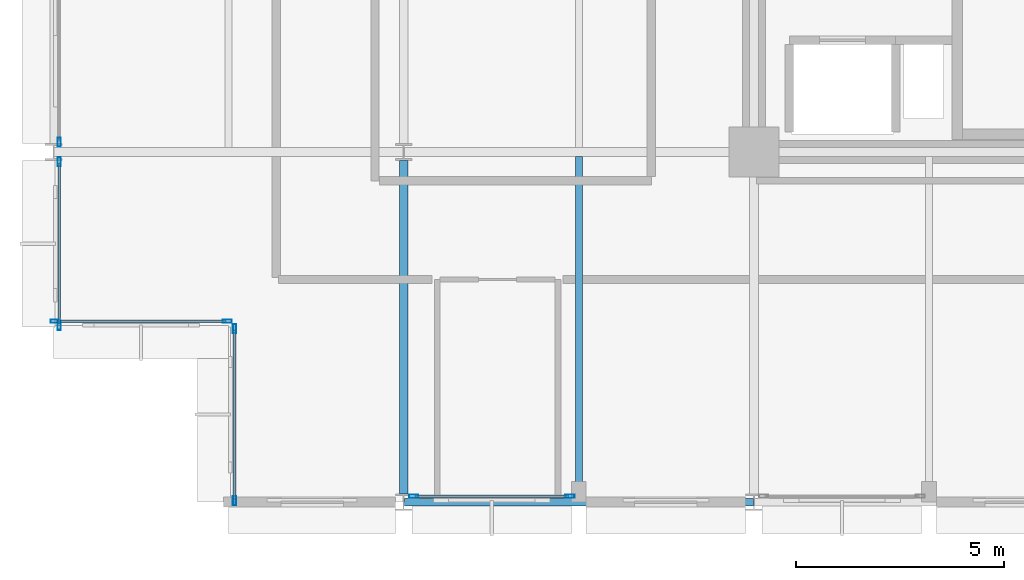
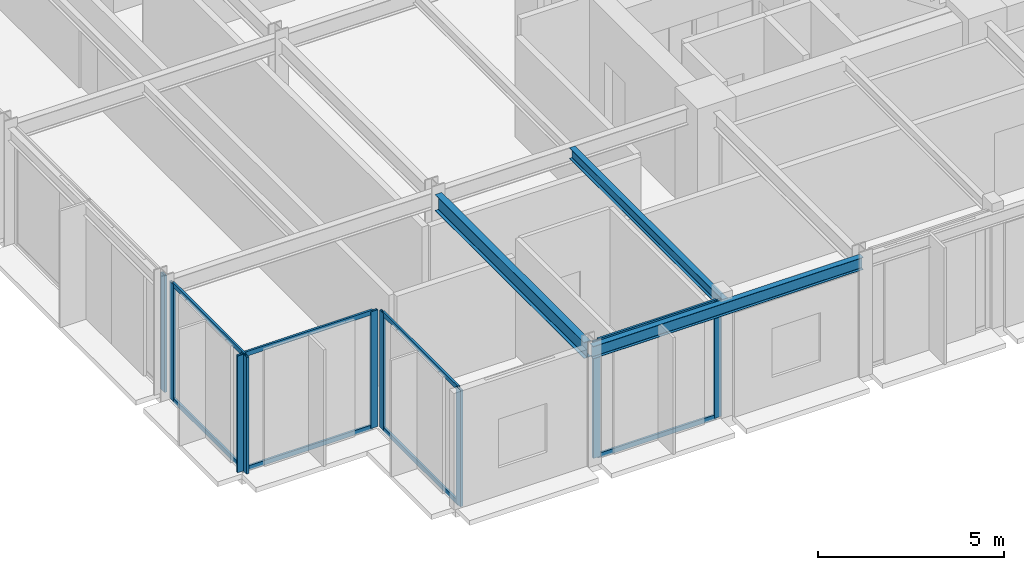
# One storey, part 2 of 25: 17 members, 3 beams, 5 elements without a shape of their own.
"""IFC4 building model written with IfcOpenShell, lengths in metres."""

from ifc_helpers import new_model, si_unit, direction, frame, origin, origin_2d, place, context, subcontext, project, spatial, hollow_rectangle, i_section, extrude, material, layer, layer_set, material_profile, profile_set, type_object, element, aggregate, save


model = new_model("IFC4")

# Units and contexts
model_context = context("Model", 3, precision=1e-05, world=origin(), true_north=direction((0.0, 1.0)))
body_context = subcontext(model_context, "Body", "Model", "MODEL_VIEW")
ifc_project = project(units=[si_unit("LENGTHUNIT", "METRE"), si_unit("AREAUNIT", "SQUARE_METRE"), si_unit("VOLUMEUNIT", "CUBIC_METRE"), si_unit("PLANEANGLEUNIT", "RADIAN"), si_unit("MASSUNIT", "GRAM", prefix="KILO")], contexts=[model_context])

# Site, building, storey
site_placement = place(None, origin())
site = spatial("IfcSite", under=ifc_project, at=site_placement, CompositionType="ELEMENT")
building_placement = place(site_placement, origin())
building = spatial("IfcBuilding", under=site, at=building_placement, Name="Nerrivon Quay Data Exchange", CompositionType="ELEMENT")
storey_placement = place(building_placement, frame((0.0, 0.0, 113.10009765625)))
storey = spatial("IfcBuildingStorey", under=building, at=storey_placement, Name="L26", CompositionType="ELEMENT", Elevation=113.10009765625)

# Beams
ifc_material_1 = material(Name="Steel Grade 350", Category="steel")
ifc_material_profile_1 = material_profile(ifc_material_1, i_section(OverallWidth=0.208984375, OverallDepth=0.528076171875, WebThickness=0.009521484375, FlangeThickness=0.01318359375, FilletRadius=0.013916015625, at=origin_2d()), Name="530UB82.0")
ifc_profile_set_1 = profile_set([ifc_material_profile_1], Name="Steel Grade 350")
beam_type_1 = type_object("IfcBeamType", Name="BM-G4-530UB82", PredefinedType="BEAM", material=ifc_profile_set_1)
beam_1_placement = place(storey_placement, frame((8.39990234375, 0.199951171875, 3.560791015625), z_axis=(0.0, 1.0, 0.0), x_axis=(-1.0, 0.0, 0.0)))
element("IfcBeam", 1, at=beam_1_placement, inside=storey, type_object=beam_type_1, Name="L26 NS Girder X=8.4 (0.0..8.4)", PredefinedType="BEAM", context=body_context, shape_type="SweptSolid", body=[
    extrude(i_section(OverallWidth=0.208984375, OverallDepth=0.528076171875, WebThickness=0.009521484375, FlangeThickness=0.01318359375, FilletRadius=0.013916015625, at=origin_2d()), origin(), (0.0, 0.0, 1.0), 8.0),
])
ifc_material_profile_2 = material_profile(ifc_material_1, i_section(OverallWidth=0.1708984375, OverallDepth=0.35595703125, WebThickness=0.00732421875, FlangeThickness=0.011474609375, FilletRadius=0.011474609375, at=origin_2d()), Name="360UB50.7")
ifc_profile_set_2 = profile_set([ifc_material_profile_2], Name="Steel Grade 350")
beam_type_2 = type_object("IfcBeamType", Name="BM-J4-360UB51", PredefinedType="JOIST", material=ifc_profile_set_2)
beam_2_placement = place(storey_placement, frame((12.60009765625, 0.089111328125, 3.64697265625), z_axis=(0.0, 1.0, 0.0), x_axis=(-1.0, 0.0, 0.0)))
element("IfcBeam", 2, at=beam_2_placement, inside=storey, type_object=beam_type_2, Name="L26 Secondary Joist X=12.6 (0.0..8.4)", PredefinedType="JOIST", context=body_context, shape_type="SweptSolid", body=[
    extrude(i_section(OverallWidth=0.1708984375, OverallDepth=0.35595703125, WebThickness=0.00732421875, FlangeThickness=0.011474609375, FilletRadius=0.011474609375, at=origin_2d()), origin(), (0.0, 0.0, 1.0), 8.206298828125),
])
ifc_material_profile_3 = material_profile(ifc_material_1, i_section(OverallWidth=0.177978515625, OverallDepth=0.403076171875, WebThickness=0.007568359375, FlangeThickness=0.010986328125, FilletRadius=0.011474609375, at=origin_2d()), Name="410UB53.7")
ifc_profile_set_3 = profile_set([ifc_material_profile_3], Name="Steel Grade 350")
beam_type_3 = type_object("IfcBeamType", Name="BM-SP2-410UB54", PredefinedType="SPANDREL", material=ifc_profile_set_3)
beam_3_placement = place(storey_placement, frame((8.41259765625, 0.0, 3.623291015625), z_axis=(1.0, 0.0, 0.0), x_axis=(0.0, 1.0, 0.0)))
element("IfcBeam", 3, at=beam_3_placement, inside=storey, type_object=beam_type_3, Name="L26 EW Girder Y=0.0 (8.4..16.8)", PredefinedType="SPANDREL", context=body_context, shape_type="SweptSolid", body=[
    extrude(i_section(OverallWidth=0.177978515625, OverallDepth=0.403076171875, WebThickness=0.007568359375, FlangeThickness=0.010986328125, FilletRadius=0.011474609375, at=origin_2d()), origin(), (0.0, 0.0, 1.0), 8.375),
])

# Curtain wall, members
ifc_material_2 = material(Name="Anodised aluminium 6063-T6", Category="aluminium")
ifc_layer = layer(ifc_material_2, 0.22998046875)
ifc_layer_set = layer_set([ifc_layer], Name="Anodised aluminium 6063-T6")
curtain_wall_type = type_object("IfcCurtainWallType", Name="CW-SYS-05", PredefinedType="NOTDEFINED", material=ifc_layer_set)
curtain_wall_1_placement = place(storey_placement, origin())
curtain_wall_1 = element("IfcCurtainWall", 4, at=curtain_wall_1_placement, inside=storey, type_object=curtain_wall_type, Name="L26 Unitised Curtain Wall 8", PredefinedType="NOTDEFINED")
ifc_material_profile_4 = material_profile(ifc_material_2, hollow_rectangle(XDim=0.074951171875, YDim=0.219970703125, WallThickness=0.00390625, at=origin_2d()), Name="ALU-MULL-220x75")
ifc_profile_set_4 = profile_set([ifc_material_profile_4], Name="Anodised aluminium 6063-T6")
member_type_1 = type_object("IfcMemberType", Name="CWM-220x75", PredefinedType="MULLION", material=ifc_profile_set_4)
member_1_placement = place(storey_placement, frame((12.387451171875, 0.139892578125, 0.0), z_axis=(0.0, 0.0, 1.0), x_axis=(0.0, -1.0, 0.0)))
member_1 = element("IfcMember", 5, at=member_1_placement, type_object=member_type_1, Name="CW05 mullion 1", PredefinedType="MULLION", context=body_context, shape_type="SweptSolid", body=[
    extrude(hollow_rectangle(XDim=0.074951171875, YDim=0.219970703125, WallThickness=0.00390625, at=origin_2d()), origin(), (0.0, 0.0, 1.0), 3.824951171875),
])
member_2_placement = place(storey_placement, frame((8.637451171875, 0.139892578125, 0.0), z_axis=(0.0, 0.0, 1.0), x_axis=(0.0, -1.0, 0.0)))
member_2 = element("IfcMember", 6, at=member_2_placement, type_object=member_type_1, Name="CW05 mullion 2", PredefinedType="MULLION", context=body_context, shape_type="SweptSolid", body=[
    extrude(hollow_rectangle(XDim=0.074951171875, YDim=0.219970703125, WallThickness=0.00390625, at=origin_2d()), origin(), (0.0, 0.0, 1.0), 3.824951171875),
])

curtain_wall_2_placement = place(storey_placement, origin())
curtain_wall_2 = element("IfcCurtainWall", 7, at=curtain_wall_2_placement, inside=storey, type_object=curtain_wall_type, Name="L26 Unitised Curtain Wall 10", PredefinedType="NOTDEFINED")
member_3_placement = place(storey_placement, frame((4.340087890625, 0.03759765625, 0.0), z_axis=(0.0, 0.0, 1.0), x_axis=(-1.0, 0.0, 0.0)))
member_3 = element("IfcMember", 8, at=member_3_placement, type_object=member_type_1, Name="CW05 mullion 1", PredefinedType="MULLION", context=body_context, shape_type="SweptSolid", body=[
    extrude(hollow_rectangle(XDim=0.074951171875, YDim=0.219970703125, WallThickness=0.00390625, at=origin_2d()), origin(), (0.0, 0.0, 1.0), 3.824951171875),
])
member_4_placement = place(storey_placement, frame((4.340087890625, 4.16259765625, 0.0), z_axis=(0.0, 0.0, 1.0), x_axis=(-1.0, 0.0, 0.0)))
member_4 = element("IfcMember", 9, at=member_4_placement, type_object=member_type_1, Name="CW05 mullion 2", PredefinedType="MULLION", context=body_context, shape_type="SweptSolid", body=[
    extrude(hollow_rectangle(XDim=0.074951171875, YDim=0.219970703125, WallThickness=0.00390625, at=origin_2d()), origin(), (0.0, 0.0, 1.0), 3.824951171875),
])

curtain_wall_3_placement = place(storey_placement, origin())
curtain_wall_3 = element("IfcCurtainWall", 10, at=curtain_wall_3_placement, inside=storey, type_object=curtain_wall_type, Name="L26 Unitised Curtain Wall 11", PredefinedType="NOTDEFINED")
member_5_placement = place(storey_placement, frame((4.16259765625, 4.340087890625, 0.0), z_axis=(0.0, 0.0, 1.0), x_axis=(0.0, -1.0, 0.0)))
member_5 = element("IfcMember", 11, at=member_5_placement, type_object=member_type_1, Name="CW05 mullion 1", PredefinedType="MULLION", context=body_context, shape_type="SweptSolid", body=[
    extrude(hollow_rectangle(XDim=0.074951171875, YDim=0.219970703125, WallThickness=0.00390625, at=origin_2d()), origin(), (0.0, 0.0, 1.0), 3.824951171875),
])
member_6_placement = place(storey_placement, frame((0.03759765625, 4.340087890625, 0.0), z_axis=(0.0, 0.0, 1.0), x_axis=(0.0, -1.0, 0.0)))
member_6 = element("IfcMember", 12, at=member_6_placement, type_object=member_type_1, Name="CW05 mullion 2", PredefinedType="MULLION", context=body_context, shape_type="SweptSolid", body=[
    extrude(hollow_rectangle(XDim=0.074951171875, YDim=0.219970703125, WallThickness=0.00390625, at=origin_2d()), origin(), (0.0, 0.0, 1.0), 3.824951171875),
])

curtain_wall_4_placement = place(storey_placement, origin())
curtain_wall_4 = element("IfcCurtainWall", 13, at=curtain_wall_4_placement, inside=storey, type_object=curtain_wall_type, Name="L26 Unitised Curtain Wall 12", PredefinedType="NOTDEFINED")
member_7_placement = place(storey_placement, frame((0.139892578125, 4.237548828125, 0.0), z_axis=(0.0, 0.0, 1.0), x_axis=(-1.0, 0.0, 0.0)))
member_7 = element("IfcMember", 14, at=member_7_placement, type_object=member_type_1, Name="CW05 mullion 1", PredefinedType="MULLION", context=body_context, shape_type="SweptSolid", body=[
    extrude(hollow_rectangle(XDim=0.074951171875, YDim=0.219970703125, WallThickness=0.00390625, at=origin_2d()), origin(), (0.0, 0.0, 1.0), 3.824951171875),
])
member_8_placement = place(storey_placement, frame((0.139892578125, 8.16259765625, 0.0), z_axis=(0.0, 0.0, 1.0), x_axis=(-1.0, 0.0, 0.0)))
member_8 = element("IfcMember", 15, at=member_8_placement, type_object=member_type_1, Name="CW05 mullion 2", PredefinedType="MULLION", context=body_context, shape_type="SweptSolid", body=[
    extrude(hollow_rectangle(XDim=0.074951171875, YDim=0.219970703125, WallThickness=0.00390625, at=origin_2d()), origin(), (0.0, 0.0, 1.0), 3.824951171875),
])

# Curtain wall, member
curtain_wall_5_placement = place(storey_placement, origin())
curtain_wall_5 = element("IfcCurtainWall", 16, at=curtain_wall_5_placement, inside=storey, type_object=curtain_wall_type, Name="L26 Unitised Curtain Wall 13", PredefinedType="NOTDEFINED")
member_9_placement = place(storey_placement, frame((0.139892578125, 8.637451171875, 0.0), z_axis=(0.0, 0.0, 1.0), x_axis=(-1.0, 0.0, 0.0)))
member_9 = element("IfcMember", 17, at=member_9_placement, type_object=member_type_1, Name="CW05 mullion 1", PredefinedType="MULLION", context=body_context, shape_type="SweptSolid", body=[
    extrude(hollow_rectangle(XDim=0.074951171875, YDim=0.219970703125, WallThickness=0.00390625, at=origin_2d()), origin(), (0.0, 0.0, 1.0), 3.824951171875),
])
aggregate(curtain_wall_5, [member_9])

# Member
ifc_material_profile_5 = material_profile(ifc_material_2, hollow_rectangle(XDim=0.06494140625, YDim=0.14990234375, WallThickness=0.00341796875, at=origin_2d()), Name="ALU-TRAN-150x65")
ifc_profile_set_5 = profile_set([ifc_material_profile_5], Name="Anodised aluminium 6063-T6")
member_type_2 = type_object("IfcMemberType", Name="CWT-150x65", PredefinedType="USERDEFINED", material=ifc_profile_set_5)
member_10_placement = place(storey_placement, frame((12.35009765625, 0.139892578125, 0.032470703125), z_axis=(-1.0, 0.0, 0.0), x_axis=(0.0, -1.0, 0.0)))
member_10 = element("IfcMember", 18, at=member_10_placement, type_object=member_type_2, Name="CW05 transom 1.1", ObjectType="TRANSOM", PredefinedType="USERDEFINED", context=body_context, shape_type="SweptSolid", body=[
    extrude(hollow_rectangle(XDim=0.06494140625, YDim=0.14990234375, WallThickness=0.00341796875, at=origin_2d()), origin(), (0.0, 0.0, 1.0), 3.675048828125),
])

member_11_placement = place(storey_placement, frame((12.35009765625, 0.139892578125, 3.79248046875), z_axis=(-1.0, 0.0, 0.0), x_axis=(0.0, -1.0, 0.0)))
member_11 = element("IfcMember", 19, at=member_11_placement, type_object=member_type_2, Name="CW05 transom 1.2", ObjectType="TRANSOM", PredefinedType="USERDEFINED", context=body_context, shape_type="SweptSolid", body=[
    extrude(hollow_rectangle(XDim=0.06494140625, YDim=0.14990234375, WallThickness=0.00341796875, at=origin_2d()), origin(), (0.0, 0.0, 1.0), 3.675048828125),
])

aggregate(curtain_wall_1, [member_1, member_2, member_10, member_11])

member_12_placement = place(storey_placement, frame((4.340087890625, 0.074951171875, 0.032470703125), z_axis=(0.0, 1.0, 0.0), x_axis=(-1.0, 0.0, 0.0)))
member_12 = element("IfcMember", 20, at=member_12_placement, type_object=member_type_2, Name="CW05 transom 1.1", ObjectType="TRANSOM", PredefinedType="USERDEFINED", context=body_context, shape_type="SweptSolid", body=[
    extrude(hollow_rectangle(XDim=0.06494140625, YDim=0.14990234375, WallThickness=0.00341796875, at=origin_2d()), origin(), (0.0, 0.0, 1.0), 4.050048828125),
])

member_13_placement = place(storey_placement, frame((4.340087890625, 0.074951171875, 3.79248046875), z_axis=(0.0, 1.0, 0.0), x_axis=(-1.0, 0.0, 0.0)))
member_13 = element("IfcMember", 21, at=member_13_placement, type_object=member_type_2, Name="CW05 transom 1.2", ObjectType="TRANSOM", PredefinedType="USERDEFINED", context=body_context, shape_type="SweptSolid", body=[
    extrude(hollow_rectangle(XDim=0.06494140625, YDim=0.14990234375, WallThickness=0.00341796875, at=origin_2d()), origin(), (0.0, 0.0, 1.0), 4.050048828125),
])

aggregate(curtain_wall_2, [member_3, member_4, member_12, member_13])

member_14_placement = place(storey_placement, frame((4.125, 4.340087890625, 0.032470703125), z_axis=(-1.0, 0.0, 0.0), x_axis=(0.0, -1.0, 0.0)))
member_14 = element("IfcMember", 22, at=member_14_placement, type_object=member_type_2, Name="CW05 transom 1.1", ObjectType="TRANSOM", PredefinedType="USERDEFINED", context=body_context, shape_type="SweptSolid", body=[
    extrude(hollow_rectangle(XDim=0.06494140625, YDim=0.14990234375, WallThickness=0.00341796875, at=origin_2d()), origin(), (0.0, 0.0, 1.0), 4.050048828125),
])

member_15_placement = place(storey_placement, frame((4.125, 4.340087890625, 3.79248046875), z_axis=(-1.0, 0.0, 0.0), x_axis=(0.0, -1.0, 0.0)))
member_15 = element("IfcMember", 23, at=member_15_placement, type_object=member_type_2, Name="CW05 transom 1.2", ObjectType="TRANSOM", PredefinedType="USERDEFINED", context=body_context, shape_type="SweptSolid", body=[
    extrude(hollow_rectangle(XDim=0.06494140625, YDim=0.14990234375, WallThickness=0.00341796875, at=origin_2d()), origin(), (0.0, 0.0, 1.0), 4.050048828125),
])

aggregate(curtain_wall_3, [member_5, member_6, member_14, member_15])

member_16_placement = place(storey_placement, frame((0.139892578125, 4.27490234375, 0.032470703125), z_axis=(0.0, 1.0, 0.0), x_axis=(-1.0, 0.0, 0.0)))
member_16 = element("IfcMember", 24, at=member_16_placement, type_object=member_type_2, Name="CW05 transom 1.1", ObjectType="TRANSOM", PredefinedType="USERDEFINED", context=body_context, shape_type="SweptSolid", body=[
    extrude(hollow_rectangle(XDim=0.06494140625, YDim=0.14990234375, WallThickness=0.00341796875, at=origin_2d()), origin(), (0.0, 0.0, 1.0), 3.85009765625),
])

member_17_placement = place(storey_placement, frame((0.139892578125, 4.27490234375, 3.79248046875), z_axis=(0.0, 1.0, 0.0), x_axis=(-1.0, 0.0, 0.0)))
member_17 = element("IfcMember", 25, at=member_17_placement, type_object=member_type_2, Name="CW05 transom 1.2", ObjectType="TRANSOM", PredefinedType="USERDEFINED", context=body_context, shape_type="SweptSolid", body=[
    extrude(hollow_rectangle(XDim=0.06494140625, YDim=0.14990234375, WallThickness=0.00341796875, at=origin_2d()), origin(), (0.0, 0.0, 1.0), 3.85009765625),
])

aggregate(curtain_wall_4, [member_7, member_8, member_16, member_17])

save(model, "model.ifc")
